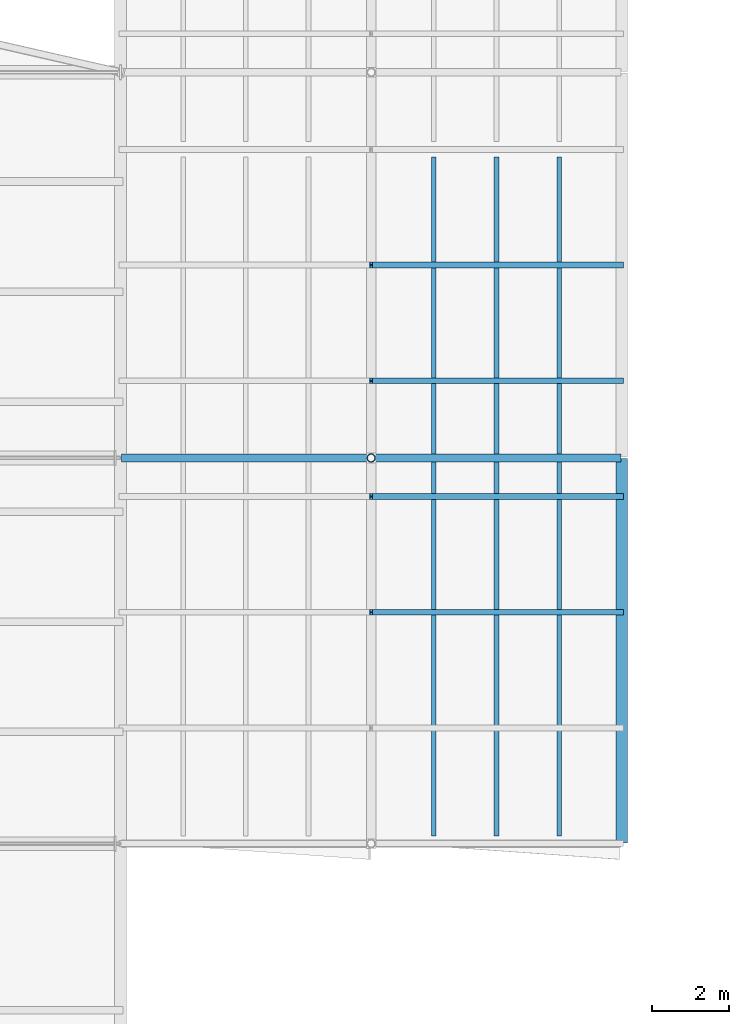
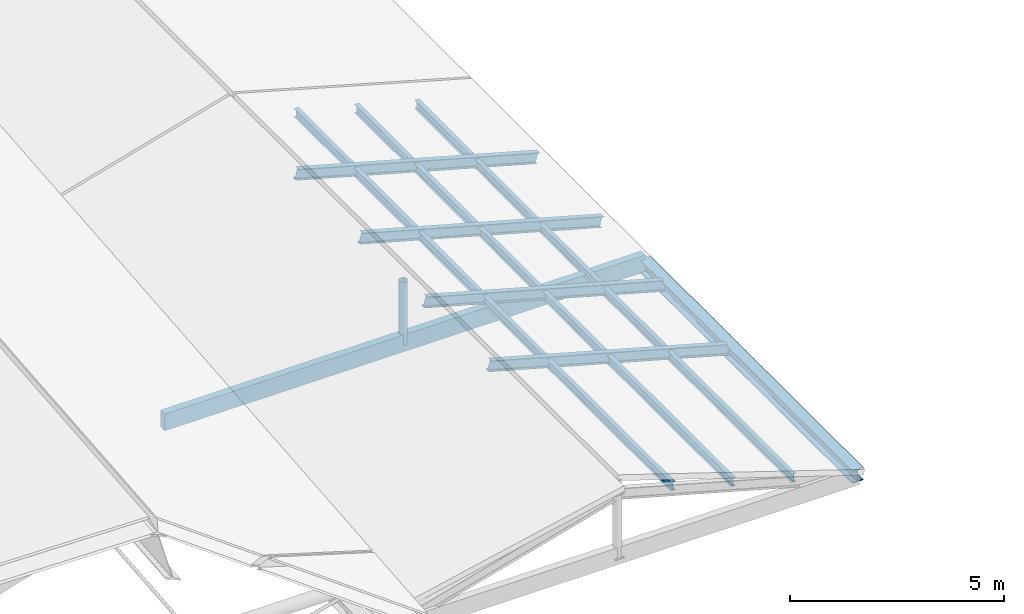
# One storey, part 71 of 90: 8 members, 2 beams.
"""IFC4 building model written with IfcOpenShell, lengths in metres."""

import ifcopenshell
import ifcopenshell.guid

model = None  # the IFC model being written
_history = None  # IfcOwnerHistory: only IFC2X3 demands one
_inside = {}  # id of a spatial element -> (the spatial element, [elements in it])
_under = {}  # id of a project, library or spatial element -> (it, [spatial elements below it])
_declared = {}  # id of a project -> (the project, [libraries it declares])
_typed = {}  # id of a type object -> (the type object, [elements of that type])
_made_of = {}  # id of a material, layer set ... -> (it, [elements and type objects made of it])


def new_model(schema):
    """Start an empty IFC model of exactly this schema.

    Asked for "IFC4X3", IfcOpenShell would pick the latest addendum, in which some entities
    have other attributes; the version numbers below select the first issue.
    IFC2X3 requires an IfcOwnerHistory on every rooted entity: one is made here for all.
    """
    global model, _history
    if schema == "IFC4X3":
        model = ifcopenshell.file(schema_version=(4, 3, 0, 0))
    else:
        model = ifcopenshell.file(schema=schema)
    _inside.clear()
    _under.clear()
    _declared.clear()
    _typed.clear()
    _made_of.clear()
    _history = None
    if model.schema == "IFC2X3":
        org = make("IfcOrganization", Name="unknown")
        user = make(
            "IfcPersonAndOrganization",
            ThePerson=make("IfcPerson", FamilyName="unknown"),
            TheOrganization=org,
        )
        app = make(
            "IfcApplication",
            ApplicationDeveloper=org,
            Version="unknown",
            ApplicationFullName="unknown",
            ApplicationIdentifier="unknown",
        )
        _history = make(
            "IfcOwnerHistory",
            OwningUser=user,
            OwningApplication=app,
            ChangeAction="ADDED",
            CreationDate=0,
        )
    return model


def make(cls, **values):
    """One entity of the class cls with the attributes given. An attribute that is None is left unset."""
    return model.create_entity(
        cls, **{name: value for name, value in values.items() if value is not None}
    )


def rooted(cls, **values):
    """An entity with a GlobalId (a new one), such as an element, a storey or a relation."""
    return make(cls, GlobalId=ifcopenshell.guid.new(), OwnerHistory=_history, **values)


def si_unit(unit_type, name, prefix=None):
    """IfcSIUnit, for example si_unit("LENGTHUNIT", "METRE", prefix="MILLI")."""
    return make("IfcSIUnit", UnitType=unit_type, Prefix=prefix, Name=name)


def assignment(units):
    """IfcUnitAssignment: the units of a project."""
    return None if units is None else make("IfcUnitAssignment", Units=units)


def point(xyz):
    """IfcCartesianPoint."""
    return None if xyz is None else make("IfcCartesianPoint", Coordinates=xyz)


def direction(xyz):
    """IfcDirection."""
    return None if xyz is None else make("IfcDirection", DirectionRatios=xyz)


def frame(location, z_axis=None, x_axis=None):
    """IfcAxis2Placement3D, a coordinate frame: its origin and axes. An axis left out is left unset."""
    return make(
        "IfcAxis2Placement3D",
        Location=point(location),
        Axis=direction(z_axis),
        RefDirection=direction(x_axis),
    )


def frame_2d(location, x_axis=None):
    """IfcAxis2Placement2D, a coordinate frame in the plane: its origin and x axis."""
    return make(
        "IfcAxis2Placement2D", Location=point(location), RefDirection=direction(x_axis)
    )


def origin():
    """The frame at (0, 0, 0) with its axes left unset."""
    return frame((0.0, 0.0, 0.0))


def origin_2d():
    """The frame at (0, 0) in the plane with its x axis left unset."""
    return frame_2d((0.0, 0.0))


def place(relative_to, where):
    """IfcLocalPlacement: puts the frame where relative to a parent placement (None: the world)."""
    return make(
        "IfcLocalPlacement", PlacementRelTo=relative_to, RelativePlacement=where
    )


def context(
    kind, dimensions, precision=None, world=None, true_north=None, identifier=None
):
    """IfcGeometricRepresentationContext, for example the 3D "Model" context."""
    return make(
        "IfcGeometricRepresentationContext",
        ContextIdentifier=identifier,
        ContextType=kind,
        CoordinateSpaceDimension=dimensions,
        Precision=precision,
        WorldCoordinateSystem=world,
        TrueNorth=true_north,
    )


def subcontext(parent, identifier, kind, view, scale=None):
    """IfcGeometricRepresentationSubContext, for example "Body" below "Model"."""
    return make(
        "IfcGeometricRepresentationSubContext",
        ContextIdentifier=identifier,
        ContextType=kind,
        ParentContext=parent,
        TargetScale=scale,
        TargetView=view,
    )


def project(units=None, contexts=None):
    """IfcProject with its units and contexts."""
    return rooted(
        "IfcProject",
        Name="project",
        RepresentationContexts=contexts,
        UnitsInContext=assignment(units),
    )


def spatial(cls, under=None, at=None, **own):
    """A site, building, storey or space (cls), placed at a placement, below another one or the project."""
    s = rooted(cls, ObjectPlacement=at, **own)
    if under is not None:
        _under.setdefault(under.id(), (under, []))[1].append(s)
    return s


def profile(cls, at=None, kind="AREA", **sizes):
    """A parametric profile (cls). Its sizes go by their IFC names, for example OverallWidth=200.0."""
    return make(cls, ProfileType=kind, Position=at, **sizes)


def rectangle(**sizes):
    """IfcRectangleProfileDef."""
    return profile("IfcRectangleProfileDef", **sizes)


def hollow_circle(**sizes):
    """IfcCircleHollowProfileDef."""
    return profile("IfcCircleHollowProfileDef", **sizes)


def i_section(**sizes):
    """IfcIShapeProfileDef."""
    return profile("IfcIShapeProfileDef", **sizes)


def extrude(swept, where, along, depth):
    """IfcExtrudedAreaSolid: the profile swept, set in the frame where, extruded along a direction by depth."""
    return make(
        "IfcExtrudedAreaSolid",
        SweptArea=swept,
        Position=where,
        ExtrudedDirection=direction(along),
        Depth=depth,
    )


def shape(context_of_items, identifier, shape_type, items):
    """IfcShapeRepresentation: the items that make up one representation, for example the "Body"."""
    return make(
        "IfcShapeRepresentation",
        ContextOfItems=context_of_items,
        RepresentationIdentifier=identifier,
        RepresentationType=shape_type,
        Items=items,
    )


def material(Name=None, Category=None):
    """IfcMaterial."""
    return make("IfcMaterial", Name=Name, Category=Category)


def material_profile(
    of_material, cross_section, Name=None, Category=None, Priority=None
):
    """IfcMaterialProfile: a cross section and its material."""
    return make(
        "IfcMaterialProfile",
        Name=Name,
        Material=of_material,
        Profile=cross_section,
        Priority=Priority,
        Category=Category,
    )


def profile_set(profiles, Name=None, composite=None):
    """IfcMaterialProfileSet."""
    return make(
        "IfcMaterialProfileSet",
        Name=Name,
        MaterialProfiles=profiles,
        CompositeProfile=composite,
    )


def made_of(thing, what):
    """Note that an element or type object is made of a material, layer set ...; save() writes the relation."""
    if what is not None:
        _made_of.setdefault(what.id(), (what, []))[1].append(thing)
    return thing


def type_object(cls, material=None, **own):
    """A type object (cls), such as IfcWallType, which elements share."""
    return made_of(rooted(cls, **own), material)


def element(
    cls,
    number,
    at=None,
    inside=None,
    cuts=None,
    type_object=None,
    material=None,
    context=None,
    identifier="Body",
    shape_type=None,
    held_by="IfcProductDefinitionShape",
    body=None,
    shapes=None,
    **own,
):
    """One element of the class cls, such as IfcWall. Its Tag is "e" and its number.

    at: its placement. inside: the storey or other place that contains it. cuts: it is an
    opening in that element (IfcRelVoidsElement). A single representation is given by context,
    identifier, shape_type and body (its items); several are given by shapes. held_by: the class
    of the entity that holds the representations. save() writes the other relations.
    """
    e = rooted(cls, Tag="e%d" % number, ObjectPlacement=at, **own)
    if body is not None:
        shapes = [shape(context, identifier, shape_type, body)]
    if shapes is not None:
        e.Representation = make(held_by, Representations=shapes)
    if inside is not None:
        _inside.setdefault(inside.id(), (inside, []))[1].append(e)
    if cuts is not None:
        rooted(
            "IfcRelVoidsElement", RelatingBuildingElement=cuts, RelatedOpeningElement=e
        )
    if type_object is not None:
        _typed.setdefault(type_object.id(), (type_object, []))[1].append(e)
    return made_of(e, material)


def aggregate(whole, parts):
    """IfcRelAggregates: a whole, such as a stair, and the parts it consists of."""
    return rooted("IfcRelAggregates", RelatingObject=whole, RelatedObjects=parts)


def save(model, path):
    """Write the relations noted so far, then the file.

    IfcRelAggregates (storeys below a building ...), IfcRelContainedInSpatialStructure (elements
    in a storey), IfcRelDefinesByType, IfcRelAssociatesMaterial and IfcRelDeclares: one each for
    every whole, place, type object, material and project.
    """
    for whole, parts in _under.values():
        aggregate(whole, parts)
    for where, things in _inside.values():
        rooted(
            "IfcRelContainedInSpatialStructure",
            RelatedElements=things,
            RelatingStructure=where,
        )
    for kind, things in _typed.values():
        rooted("IfcRelDefinesByType", RelatedObjects=things, RelatingType=kind)
    for what, things in _made_of.values():
        rooted("IfcRelAssociatesMaterial", RelatedObjects=things, RelatingMaterial=what)
    for by, libraries in _declared.values():
        rooted("IfcRelDeclares", RelatingContext=by, RelatedDefinitions=libraries)
    model.write(path)


model = new_model("IFC4")

# Units and contexts
model_context = context("Model", 3, precision=1e-05, world=origin(), true_north=direction((0.0, 1.0)))
body_context = subcontext(model_context, "Body", "Model", "MODEL_VIEW")
ifc_project = project(units=[si_unit("LENGTHUNIT", "METRE"), si_unit("AREAUNIT", "SQUARE_METRE"), si_unit("VOLUMEUNIT", "CUBIC_METRE"), si_unit("PLANEANGLEUNIT", "RADIAN"), si_unit("MASSUNIT", "GRAM", prefix="KILO"), si_unit("THERMODYNAMICTEMPERATUREUNIT", "KELVIN"), si_unit("POWERUNIT", "WATT")], contexts=[model_context])

# Site, building, storey
site_placement = place(None, origin())
site = spatial("IfcSite", under=ifc_project, at=site_placement, CompositionType="ELEMENT")
building_placement = place(site_placement, origin())
building = spatial("IfcBuilding", under=site, at=building_placement, Name="Korenveer Ferry Terminal", CompositionType="ELEMENT")
storey_placement = place(building_placement, frame((0.0, 0.0, 22.199951171875)))
storey = spatial("IfcBuildingStorey", under=building, at=storey_placement, Name="RF", CompositionType="ELEMENT", Elevation=22.199951171875)

# Beam
ifc_material_1 = material(Name="Steel S355", Category="steel")
ifc_material_profile_1 = material_profile(ifc_material_1, i_section(OverallWidth=0.300048828125, OverallDepth=0.360107421875, WebThickness=0.012451171875, FlangeThickness=0.0224609375, FilletRadius=0.027099609375, at=origin_2d()), Name="HEB 360")
ifc_profile_set_1 = profile_set([ifc_material_profile_1], Name="Steel S355")
beam_type_1 = type_object("IfcBeamType", Name="STR-BM-HEB360", PredefinedType="BEAM", material=ifc_profile_set_1)
beam_1_placement = place(storey_placement, frame((136.0, 80.02001953125, -7.619873046875), z_axis=(0.0, 1.0, 0.0), x_axis=(-1.0, 0.0, 0.0)))
element("IfcBeam", 1, at=beam_1_placement, inside=storey, type_object=beam_type_1, Name="Wing eave beam PIERE 209", PredefinedType="BEAM", context=body_context, shape_type="SweptSolid", body=[
    extrude(i_section(OverallWidth=0.300048828125, OverallDepth=0.360107421875, WebThickness=0.012451171875, FlangeThickness=0.0224609375, FilletRadius=0.027099609375, at=origin_2d()), origin(), (0.0, 0.0, 1.0), 9.9599609375),
])

# Members
ifc_material_profile_2 = material_profile(ifc_material_1, i_section(OverallWidth=0.1201171875, OverallDepth=0.239990234375, WebThickness=0.006103515625, FlangeThickness=0.009765625, FilletRadius=0.014892578125, at=origin_2d()), Name="IPE 240")
ifc_profile_set_2 = profile_set([ifc_material_profile_2], Name="Steel S355")
member_type_1 = type_object("IfcMemberType", Name="STR-PUR-IPE240", PredefinedType="PURLIN", material=ifc_profile_set_2)
for number, where, z_axis, x_axis, name in (
    (2, (131.125, 80.199951171875, -6.329833984375), (0.0, 1.0, 0.0), (-1.0, 0.0, 0.0), "Pitched wing roof steel purlin 319"),
    (3, (132.75, 80.199951171875, -6.780029296875), (0.0, 1.0, 0.0), (-1.0, 0.0, 0.0), "Pitched wing roof steel purlin 321"),
    (4, (134.375, 80.199951171875, -7.22998046875), (0.0, 1.0, 0.0), (-1.0, 0.0, 0.0), "Pitched wing roof steel purlin 323"),
):
    element("IfcMember", number, at=place(storey_placement, frame(where, z_axis=z_axis, x_axis=x_axis)), inside=storey, type_object=member_type_1, Name=name, PredefinedType="PURLIN", context=body_context, shape_type="SweptSolid", body=[
        extrude(i_section(OverallWidth=0.1201171875, OverallDepth=0.239990234375, WebThickness=0.006103515625, FlangeThickness=0.009765625, FilletRadius=0.014892578125, at=origin_2d()), origin(), (0.0, 0.0, 1.0), 17.60009765625),
    ])
ifc_material_profile_3 = material_profile(ifc_material_1, i_section(OverallWidth=0.14990234375, OverallDepth=0.300048828125, WebThickness=0.007080078125, FlangeThickness=0.0107421875, FilletRadius=0.014892578125, at=origin_2d()), Name="IPE 300")
ifc_profile_set_3 = profile_set([ifc_material_profile_3], Name="Steel S355")
member_type_2 = type_object("IfcMemberType", Name="STR-RAF-IPE300", PredefinedType="RAFTER", material=ifc_profile_set_3)
for number, where, z_axis, x_axis, name in (
    (5, (129.5, 86.0, -5.820068359375), (0.963737469599, 0.0, -0.26685218697), (0.0, 1.0, 0.0), "Pitched roof rafter 160"),
    (6, (129.5, 89.0, -5.820068359375), (0.963737469599, 0.0, -0.26685218697), (0.0, 1.0, 0.0), "Pitched roof rafter 162"),
    (7, (129.5, 92.0, -5.820068359375), (0.963737469599, 0.0, -0.26685218697), (0.0, 1.0, 0.0), "Pitched roof rafter 164"),
    (8, (129.5, 95.0, -5.820068359375), (0.963737469599, 0.0, -0.26685218697), (0.0, 1.0, 0.0), "Pitched roof rafter 166"),
):
    element("IfcMember", number, at=place(storey_placement, frame(where, z_axis=z_axis, x_axis=x_axis)), inside=storey, type_object=member_type_2, Name=name, PredefinedType="RAFTER", context=body_context, shape_type="SweptSolid", body=[
        extrude(i_section(OverallWidth=0.14990234375, OverallDepth=0.300048828125, WebThickness=0.007080078125, FlangeThickness=0.0107421875, FilletRadius=0.014892578125, at=origin_2d()), origin(), (0.0, 0.0, 1.0), 6.74462890625),
    ])

# Beam
ifc_material_2 = material(Name="Glulam GL28h", Category="wood")
ifc_material_profile_4 = material_profile(ifc_material_2, rectangle(XDim=0.199951171875, YDim=0.47998046875, at=origin_2d()), Name="GL 200x480")
ifc_profile_set_4 = profile_set([ifc_material_profile_4], Name="Glulam GL28h")
beam_type_2 = type_object("IfcBeamType", Name="STR-RFG-GL200", PredefinedType="USERDEFINED", material=ifc_profile_set_4)
beam_2_placement = place(storey_placement, frame((123.02001953125, 90.0, -7.56005859375), z_axis=(1.0, 0.0, 0.0), x_axis=(0.0, 1.0, 0.0)))
element("IfcBeam", 9, at=beam_2_placement, inside=storey, type_object=beam_type_2, Name="Wing roof collar tie PIERE 215", ObjectType="ROOF GIRDER", PredefinedType="USERDEFINED", context=body_context, shape_type="SweptSolid", body=[
    extrude(rectangle(XDim=0.199951171875, YDim=0.47998046875, at=origin_2d()), origin(), (0.0, 0.0, 1.0), 12.9599609375),
])

# Member
ifc_material_profile_5 = material_profile(ifc_material_1, hollow_circle(Radius=0.109619140625, WallThickness=0.012451171875, at=origin_2d()), Name="CHS 219.1x12.5")
ifc_profile_set_5 = profile_set([ifc_material_profile_5], Name="Steel S355")
member_type_3 = type_object("IfcMemberType", Name="STR-STT-CHS219", PredefinedType="STRUT", material=ifc_profile_set_5)
member_placement = place(storey_placement, frame((129.5, 90.0, -7.619873046875), z_axis=(0.0, 0.0, 1.0), x_axis=(1.0, 0.0, 0.0)))
element("IfcMember", 10, at=member_placement, inside=storey, type_object=member_type_3, Name="Wing ridge strut STTWR-PIERE-Y90", PredefinedType="STRUT", context=body_context, shape_type="SweptSolid", body=[
    extrude(hollow_circle(Radius=0.109619140625, WallThickness=0.012451171875, at=origin_2d()), origin(), (0.0, 0.0, 1.0), 1.7998046875),
])

save(model, "model.ifc")
